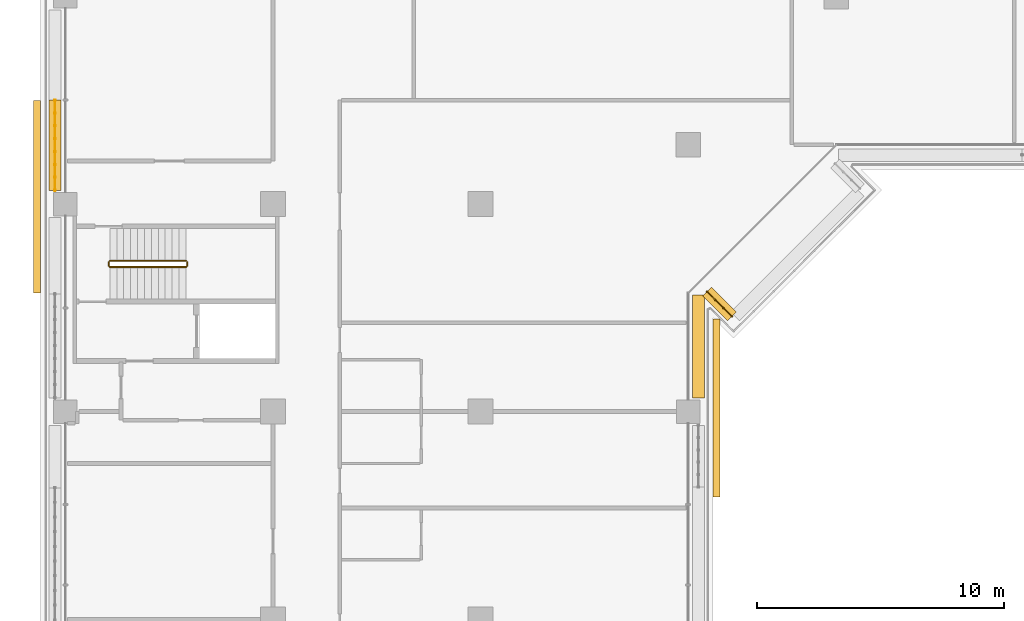
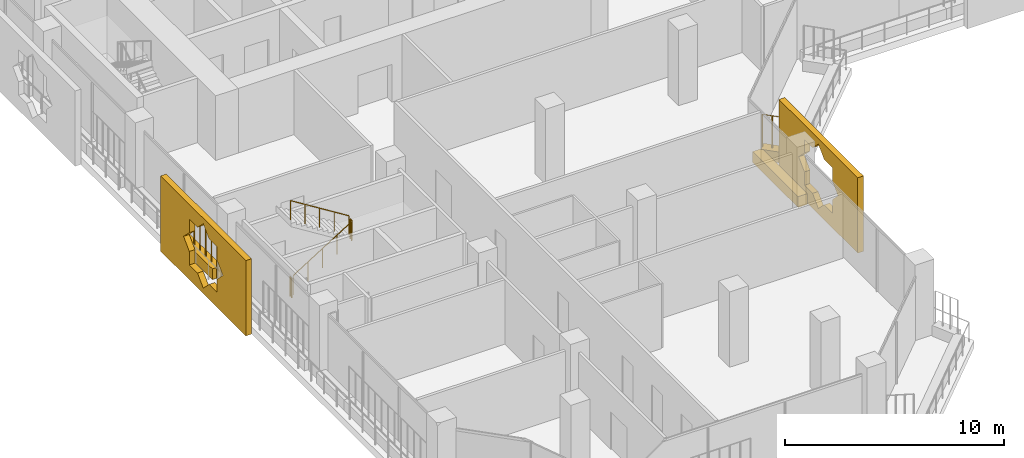
# One storey, part 17 of 23: 6 railings, 5 coverings.
"""IFC4 building model written with IfcOpenShell, lengths in metres."""

from ifc_helpers import new_model, si_unit, direction, frame, origin, origin_2d, place, context, subcontext, project, spatial, polyline, rectangle, circle, outline, extrude, material, material_profile, profile_set, type_object, element, save


model = new_model("IFC4")

# Units and contexts
model_context = context("Model", 3, precision=1e-05, world=origin(), true_north=direction((0.0, 1.0)))
body_context = subcontext(model_context, "Body", "Model", "MODEL_VIEW")
ifc_project = project(units=[si_unit("LENGTHUNIT", "METRE"), si_unit("AREAUNIT", "SQUARE_METRE"), si_unit("VOLUMEUNIT", "CUBIC_METRE"), si_unit("PLANEANGLEUNIT", "RADIAN"), si_unit("MASSUNIT", "GRAM", prefix="KILO")], contexts=[model_context])

# Site, building, storey
site_placement = place(None, origin())
site = spatial("IfcSite", under=ifc_project, at=site_placement, CompositionType="ELEMENT")
building_placement = place(site_placement, origin())
building = spatial("IfcBuilding", under=site, at=building_placement, Name="Kawkab Arch Medical Tower", CompositionType="ELEMENT")
storey_placement = place(building_placement, frame((0.0, 0.0, 166.800048828125)))
storey = spatial("IfcBuildingStorey", under=building, at=storey_placement, Name="L38", CompositionType="ELEMENT", Elevation=166.800048828125)

# Coverings
ifc_material_1 = material(Name="Bronze anodised aluminium mashrabiya panel, eight-point star pattern", Category="aluminium")
ifc_material_profile_1 = material_profile(ifc_material_1, outline(polyline([(-3.60009765625, -2.10009765625), (3.60009765625, -2.10009765625), (3.60009765625, 2.10009765625), (-3.60009765625, 2.10009765625), (-3.60009765625, -2.10009765625)]), holes=[polyline([(1.800048828125, 0.0), (1.272705078125, 0.527099609375), (1.272705078125, 1.272705078125), (0.527099609375, 1.272705078125), (0.0, 1.800048828125), (-0.527099609375, 1.272705078125), (-1.272705078125, 1.272705078125), (-1.272705078125, 0.527099609375), (-1.800048828125, 0.0), (-1.272705078125, -0.527099609375), (-1.272705078125, -1.272705078125), (-0.527099609375, -1.272705078125), (0.0, -1.800048828125), (0.527099609375, -1.272705078125), (1.272705078125, -1.272705078125), (1.272705078125, -0.527099609375), (1.800048828125, 0.0)])]), Name="Mashrabiya panel 7200x4200")
ifc_profile_set_1 = profile_set([ifc_material_profile_1], Name="Bronze anodised aluminium mashrabiya panel, eight-point star pattern")
covering_type_1 = type_object("IfcCoveringType", Name="Mashrabiya panel 7200 x 4200", PredefinedType="USERDEFINED", material=ifc_profile_set_1)
covering_1_placement = place(storey_placement, frame((26.199951171875, -41.857421875, 1.699951171875), z_axis=(1.0, 0.0, 0.0), x_axis=(0.0, 1.0, 0.0)))
element("IfcCovering", 1, at=covering_1_placement, inside=storey, type_object=covering_type_1, Name="Mashrabiya panel L38.LOG-01-02.10", ObjectType="SCREEN", PredefinedType="USERDEFINED", context=body_context, shape_type="SweptSolid", body=[
    extrude(outline(polyline([(-3.60009765625, -2.10009765625), (3.60009765625, -2.10009765625), (3.60009765625, 2.10009765625), (-3.60009765625, 2.10009765625), (-3.60009765625, -2.10009765625)]), holes=[polyline([(1.800048828125, 0.0), (1.272705078125, 0.527099609375), (1.272705078125, 1.272705078125), (0.527099609375, 1.272705078125), (0.0, 1.800048828125), (-0.527099609375, 1.272705078125), (-1.272705078125, 1.272705078125), (-1.272705078125, 0.527099609375), (-1.800048828125, 0.0), (-1.272705078125, -0.527099609375), (-1.272705078125, -1.272705078125), (-0.527099609375, -1.272705078125), (0.0, -1.800048828125), (0.527099609375, -1.272705078125), (1.272705078125, -1.272705078125), (1.272705078125, -0.527099609375), (1.800048828125, 0.0)])]), origin(), (0.0, 0.0, 1.0), 0.300048828125),
])
ifc_material_2 = material(Name="Bronze anodised aluminium mashrabiya panel, eight-point star pattern", Category="aluminium")
ifc_material_profile_2 = material_profile(ifc_material_2, outline(polyline([(-3.89990234375, -2.10009765625), (3.89990234375, -2.10009765625), (3.89990234375, 2.10009765625), (-3.89990234375, 2.10009765625), (-3.89990234375, -2.10009765625)]), holes=[polyline([(1.800048828125, 0.0), (1.272705078125, 0.527099609375), (1.272705078125, 1.272705078125), (0.527099609375, 1.272705078125), (0.0, 1.800048828125), (-0.527099609375, 1.272705078125), (-1.272705078125, 1.272705078125), (-1.272705078125, 0.527099609375), (-1.800048828125, 0.0), (-1.272705078125, -0.527099609375), (-1.272705078125, -1.272705078125), (-0.527099609375, -1.272705078125), (0.0, -1.800048828125), (0.527099609375, -1.272705078125), (1.272705078125, -1.272705078125), (1.272705078125, -0.527099609375), (1.800048828125, 0.0)])]), Name="Mashrabiya panel 7800x4200")
ifc_profile_set_2 = profile_set([ifc_material_profile_2], Name="Bronze anodised aluminium mashrabiya panel, eight-point star pattern")
covering_type_2 = type_object("IfcCoveringType", Name="Mashrabiya panel 7800 x 4200", PredefinedType="USERDEFINED", material=ifc_profile_set_2)
covering_2_placement = place(storey_placement, frame((-1.0, -33.30029296875, 1.699951171875), z_axis=(-1.0, 0.0, 0.0), x_axis=(0.0, -1.0, 0.0)))
element("IfcCovering", 2, at=covering_2_placement, inside=storey, type_object=covering_type_2, Name="Mashrabiya panel L38.LOG-01-02.1", ObjectType="SCREEN", PredefinedType="USERDEFINED", context=body_context, shape_type="SweptSolid", body=[
    extrude(outline(polyline([(-3.89990234375, -2.10009765625), (3.89990234375, -2.10009765625), (3.89990234375, 2.10009765625), (-3.89990234375, 2.10009765625), (-3.89990234375, -2.10009765625)]), holes=[polyline([(1.800048828125, 0.0), (1.272705078125, 0.527099609375), (1.272705078125, 1.272705078125), (0.527099609375, 1.272705078125), (0.0, 1.800048828125), (-0.527099609375, 1.272705078125), (-1.272705078125, 1.272705078125), (-1.272705078125, 0.527099609375), (-1.800048828125, 0.0), (-1.272705078125, -0.527099609375), (-1.272705078125, -1.272705078125), (-0.527099609375, -1.272705078125), (0.0, -1.800048828125), (0.527099609375, -1.272705078125), (1.272705078125, -1.272705078125), (1.272705078125, -0.527099609375), (1.800048828125, 0.0)])]), origin(), (0.0, 0.0, 1.0), 0.300048828125),
])
ifc_material_3 = material(Name="Planting soil in a precast trough", Category="concrete")
ifc_material_profile_3 = material_profile(ifc_material_3, rectangle(XDim=0.5, YDim=0.60009765625, at=origin_2d()), Name="Trough 500x600")
ifc_profile_set_3 = profile_set([ifc_material_profile_3], Name="Planting soil in a precast trough")
covering_type_3 = type_object("IfcCoveringType", Name="Planter trough 500 x 600", PredefinedType="USERDEFINED", material=ifc_profile_set_3)
covering_3_placement = place(storey_placement, frame((-0.419921875, -33.044921875, 0.300048828125), z_axis=(0.0, 1.0, 0.0), x_axis=(-1.0, 0.0, 0.0)))
element("IfcCovering", 3, at=covering_3_placement, inside=storey, type_object=covering_type_3, Name="Planter L38.LOG-01-02.11", ObjectType="PLANTER", PredefinedType="USERDEFINED", context=body_context, shape_type="SweptSolid", body=[
    extrude(rectangle(XDim=0.5, YDim=0.60009765625, at=origin_2d()), origin(), (0.0, 0.0, 1.0), 3.64501953125),
])
covering_4_placement = place(storey_placement, frame((26.967041015625, -38.14697265625, 0.300048828125), z_axis=(-0.707192746389, 0.707020805532, 0.0), x_axis=(-0.707020805532, -0.707192746389, 0.0)))
element("IfcCovering", 4, at=covering_4_placement, inside=storey, type_object=covering_type_3, Name="Planter L38.LOG-01-02.41", ObjectType="PLANTER", PredefinedType="USERDEFINED", context=body_context, shape_type="SweptSolid", body=[
    extrude(rectangle(XDim=0.5, YDim=0.60009765625, at=origin_2d()), origin(), (0.0, 0.0, 1.0), 1.419921875),
])
covering_5_placement = place(storey_placement, frame((25.6201171875, -37.284912109375, 0.300048828125), z_axis=(0.0, -1.0, 0.0), x_axis=(1.0, 0.0, 0.0)))
element("IfcCovering", 5, at=covering_5_placement, inside=storey, type_object=covering_type_3, Name="Planter L38.LOG-01-02.42", ObjectType="PLANTER", PredefinedType="USERDEFINED", context=body_context, shape_type="SweptSolid", body=[
    extrude(rectangle(XDim=0.5, YDim=0.60009765625, at=origin_2d()), origin(), (0.0, 0.0, 1.0), 4.16015625),
])

# Railings
ifc_material_4 = material(Name="Bronze anodised aluminium trellis for climbing plants", Category="aluminium")
railing_type_1 = type_object("IfcRailingType", Name="Planting trellis 2400", PredefinedType="USERDEFINED", material=ifc_material_4)
railing_1_placement = place(storey_placement, frame((-0.419921875, -33.044921875, 0.0)))
element("IfcRailing", 6, at=railing_1_placement, inside=storey, type_object=railing_type_1, Name="Planting trellis L38.LOG-01-02.11", ObjectType="TRELLIS", PredefinedType="USERDEFINED", context=body_context, shape_type="SweptSolid", body=[
    extrude(circle(Radius=0.01513671875, at=origin_2d()), frame((0.0, 0.0, 2.384765625), z_axis=(0.0, 1.0, 0.0), x_axis=(-1.0, 0.0, 0.0)), (0.0, 0.0, 1.0), 3.64501953125),
    extrude(circle(Radius=0.030029296875, at=origin_2d()), origin(), (0.0, 0.0, 1.0), 2.369873046875),
    extrude(circle(Radius=0.030029296875, at=origin_2d()), frame((0.0, 0.520751953125, 0.0)), (0.0, 0.0, 1.0), 2.369873046875),
    extrude(circle(Radius=0.030029296875, at=origin_2d()), frame((0.0, 1.04150390625, 0.0)), (0.0, 0.0, 1.0), 2.369873046875),
    extrude(circle(Radius=0.030029296875, at=origin_2d()), frame((0.0, 1.562255859375, 0.0)), (0.0, 0.0, 1.0), 2.369873046875),
    extrude(circle(Radius=0.030029296875, at=origin_2d()), frame((0.0, 2.082763671875, 0.0)), (0.0, 0.0, 1.0), 2.369873046875),
    extrude(circle(Radius=0.030029296875, at=origin_2d()), frame((0.0, 2.603515625, 0.0)), (0.0, 0.0, 1.0), 2.369873046875),
    extrude(circle(Radius=0.030029296875, at=origin_2d()), frame((0.0, 3.124267578125, 0.0)), (0.0, 0.0, 1.0), 2.369873046875),
    extrude(circle(Radius=0.030029296875, at=origin_2d()), frame((0.0, 3.64501953125, 0.0)), (0.0, 0.0, 1.0), 2.369873046875),
])
railing_2_placement = place(storey_placement, frame((26.967041015625, -38.14697265625, 0.0)))
element("IfcRailing", 7, at=railing_2_placement, inside=storey, type_object=railing_type_1, Name="Planting trellis L38.LOG-01-02.41", ObjectType="TRELLIS", PredefinedType="USERDEFINED", context=body_context, shape_type="SweptSolid", body=[
    extrude(circle(Radius=0.01513671875, at=origin_2d()), frame((0.0, 0.0, 2.384765625), z_axis=(-0.707192746389, 0.707020805532, 0.0), x_axis=(-0.707020805532, -0.707192746389, 0.0)), (0.0, 0.0, 1.0), 1.419921875),
    extrude(circle(Radius=0.030029296875, at=origin_2d()), origin(), (0.0, 0.0, 1.0), 2.369873046875),
    extrude(circle(Radius=0.030029296875, at=origin_2d()), frame((-0.334716796875, 0.334716796875, 0.0)), (0.0, 0.0, 1.0), 2.369873046875),
    extrude(circle(Radius=0.030029296875, at=origin_2d()), frame((-0.66943359375, 0.669189453125, 0.0)), (0.0, 0.0, 1.0), 2.369873046875),
    extrude(circle(Radius=0.030029296875, at=origin_2d()), frame((-1.004150390625, 1.00390625, 0.0)), (0.0, 0.0, 1.0), 2.369873046875),
])
ifc_material_5 = material(Name="Stainless steel", Category="steel")
railing_type_2 = type_object("IfcRailingType", Name="Stair guard 1100", PredefinedType="GUARDRAIL", material=ifc_material_5)
railing_3_placement = place(storey_placement, frame((1.800048828125, -36.14990234375, 0.175048828125)))
element("IfcRailing", 8, at=railing_3_placement, inside=storey, type_object=railing_type_2, Name="L38 ST6 stair guard 1", PredefinedType="GUARDRAIL", context=body_context, shape_type="SweptSolid", body=[
    extrude(circle(Radius=0.02392578125, at=origin_2d()), frame((0.0, 0.0, 1.076171875), z_axis=(0.848009633417, 0.0, 0.529980812513), x_axis=(0.0, 1.0, 0.0)), (0.0, 0.0, 1.0), 3.6318359375),
    extrude(circle(Radius=0.02099609375, at=origin_2d()), origin(), (0.0, 0.0, 1.0), 1.052001953125),
    extrude(circle(Radius=0.02099609375, at=origin_2d()), frame((0.77001953125, 0.0, 0.481201171875)), (0.0, 0.0, 1.0), 1.052001953125),
    extrude(circle(Radius=0.02099609375, at=origin_2d()), frame((1.5400390625, 0.0, 0.96240234375)), (0.0, 0.0, 1.0), 1.052001953125),
    extrude(circle(Radius=0.02099609375, at=origin_2d()), frame((2.309814453125, 0.0, 1.443603515625)), (0.0, 0.0, 1.0), 1.052001953125),
    extrude(circle(Radius=0.02099609375, at=origin_2d()), frame((3.079833984375, 0.0, 1.9248046875)), (0.0, 0.0, 1.0), 1.052001953125),
])
railing_4_placement = place(storey_placement, frame((4.929931640625, -36.10009765625, 2.099853515625)))
element("IfcRailing", 9, at=railing_4_placement, inside=storey, type_object=railing_type_2, Name="L38 ST6 stair guard 2", PredefinedType="GUARDRAIL", context=body_context, shape_type="SweptSolid", body=[
    extrude(circle(Radius=0.02392578125, at=origin_2d()), frame((0.0, 0.0, 1.076171875), z_axis=(0.0, 1.0, 0.0), x_axis=(-1.0, 0.0, 0.0)), (0.0, 0.0, 1.0), 0.150146484375),
    extrude(circle(Radius=0.02099609375, at=origin_2d()), origin(), (0.0, 0.0, 1.0), 1.052001953125),
    extrude(circle(Radius=0.02099609375, at=origin_2d()), frame((0.0, 0.150146484375, 0.0)), (0.0, 0.0, 1.0), 1.052001953125),
])
railing_5_placement = place(storey_placement, frame((4.8798828125, -35.89990234375, 2.27490234375)))
element("IfcRailing", 10, at=railing_5_placement, inside=storey, type_object=railing_type_2, Name="L38 ST6 stair guard 3", PredefinedType="GUARDRAIL", context=body_context, shape_type="SweptSolid", body=[
    extrude(circle(Radius=0.02392578125, at=origin_2d()), frame((0.0, 0.0, 1.076171875), z_axis=(-0.847979421464, 0.0, 0.530029150871), x_axis=(0.0, -1.0, 0.0)), (0.0, 0.0, 1.0), 3.632080078125),
    extrude(circle(Radius=0.02099609375, at=origin_2d()), origin(), (0.0, 0.0, 1.0), 1.052001953125),
    extrude(circle(Radius=0.02099609375, at=origin_2d()), frame((-0.77001953125, 0.0, 0.481201171875)), (0.0, 0.0, 1.0), 1.052001953125),
    extrude(circle(Radius=0.02099609375, at=origin_2d()), frame((-1.5400390625, 0.0, 0.96240234375)), (0.0, 0.0, 1.0), 1.052001953125),
    extrude(circle(Radius=0.02099609375, at=origin_2d()), frame((-2.309814453125, 0.0, 1.44384765625)), (0.0, 0.0, 1.0), 1.052001953125),
    extrude(circle(Radius=0.02099609375, at=origin_2d()), frame((-3.079833984375, 0.0, 1.925048828125)), (0.0, 0.0, 1.0), 1.052001953125),
])
railing_6_placement = place(storey_placement, frame((1.75, -36.10009765625, 0.0)))
element("IfcRailing", 11, at=railing_6_placement, inside=storey, type_object=railing_type_2, Name="L38 ST6 stair guard 4", PredefinedType="GUARDRAIL", context=body_context, shape_type="SweptSolid", body=[
    extrude(circle(Radius=0.02392578125, at=origin_2d()), frame((0.0, 0.0, 1.076171875), z_axis=(0.0, 1.0, 0.0), x_axis=(-1.0, 0.0, 0.0)), (0.0, 0.0, 1.0), 0.150146484375),
    extrude(circle(Radius=0.02099609375, at=origin_2d()), origin(), (0.0, 0.0, 1.0), 1.052001953125),
    extrude(circle(Radius=0.02099609375, at=origin_2d()), frame((0.0, 0.150146484375, 0.0)), (0.0, 0.0, 1.0), 1.052001953125),
])

save(model, "model.ifc")
